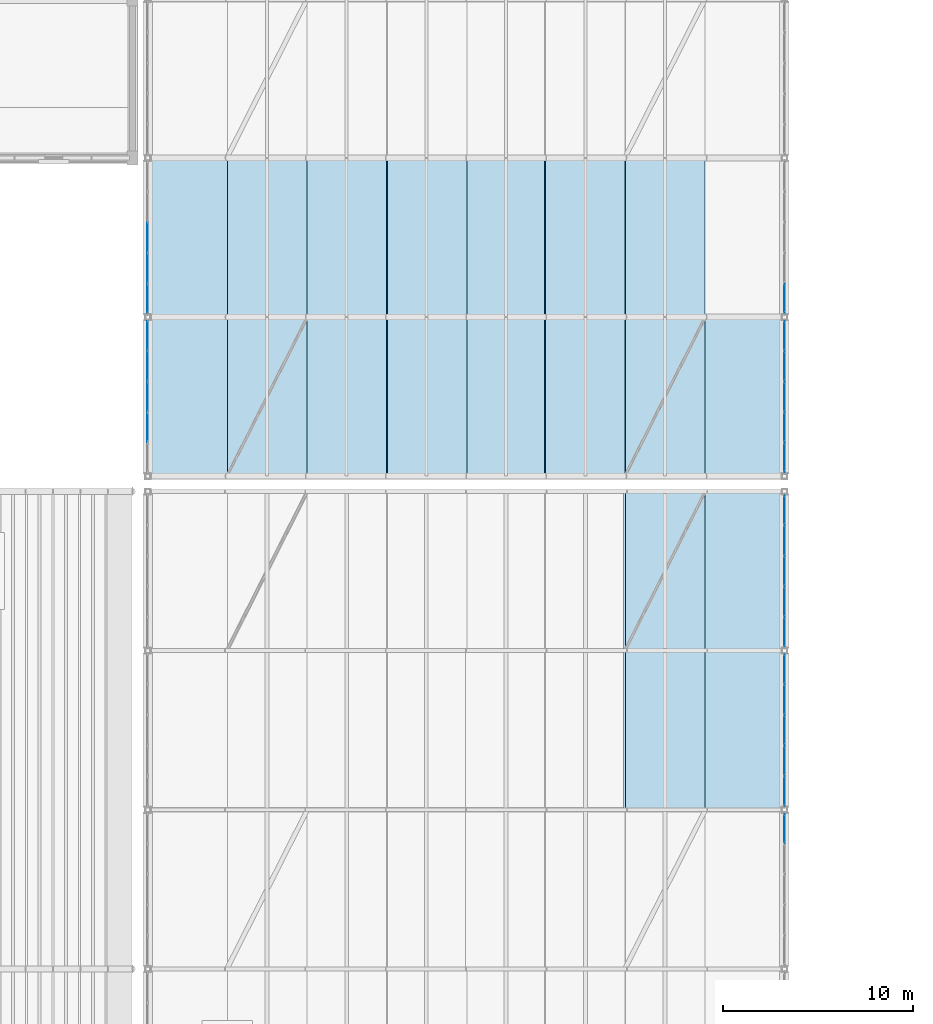
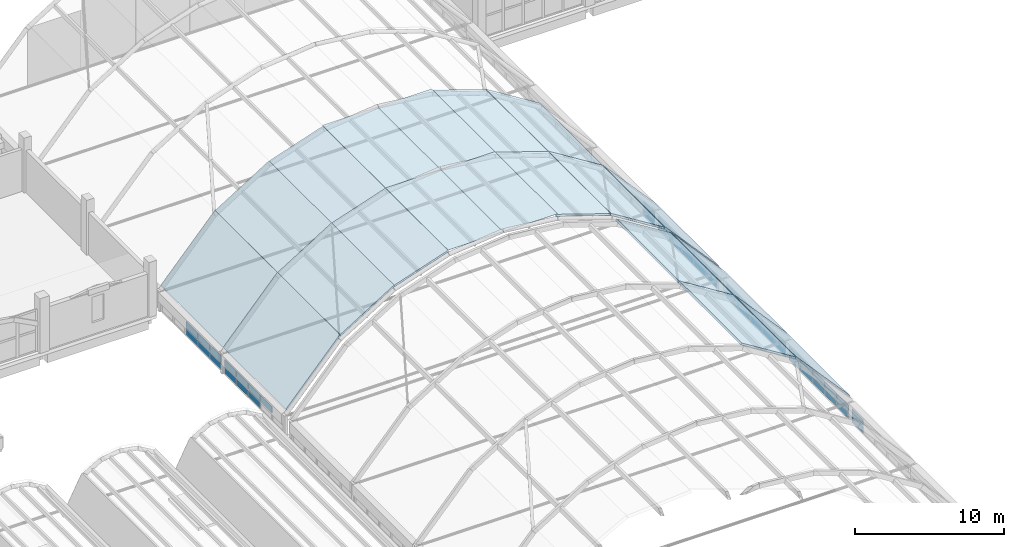
# One storey, part 90 of 114: 51 plates, 15 slabs, 7 elements without a shape of their own.
"""IFC4 building model written with IfcOpenShell, lengths in metres."""

from ifc_helpers import new_model, si_unit, direction, frame, origin, origin_2d, place, context, subcontext, project, spatial, polyline, rectangle, outline, extrude, material, layer, layer_set, type_object, element, aggregate, save


model = new_model("IFC4")

# Units and contexts
model_context = context("Model", 3, precision=1e-05, world=origin(), true_north=direction((0.0, 1.0)))
body_context = subcontext(model_context, "Body", "Model", "MODEL_VIEW")
ifc_project = project(units=[si_unit("LENGTHUNIT", "METRE"), si_unit("AREAUNIT", "SQUARE_METRE"), si_unit("VOLUMEUNIT", "CUBIC_METRE"), si_unit("PLANEANGLEUNIT", "RADIAN"), si_unit("MASSUNIT", "GRAM", prefix="KILO")], contexts=[model_context])

# Site, building, storey
site_placement = place(None, origin())
site = spatial("IfcSite", under=ifc_project, at=site_placement, CompositionType="ELEMENT")
building_placement = place(site_placement, origin())
building = spatial("IfcBuilding", under=site, at=building_placement, Name="Xazarin Passage Department Store", CompositionType="ELEMENT")
storey_placement = place(building_placement, frame((0.0, 0.0, 14.39990234375)))
storey = spatial("IfcBuildingStorey", under=building, at=storey_placement, Name="L03", CompositionType="ELEMENT", Elevation=14.39990234375)

# Curtain wall, plates
ifc_material_1 = material(Name="Bronze anodised aluminium", Category="aluminium")
ifc_layer_1 = layer(ifc_material_1, 0.159912109375)
ifc_layer_set_1 = layer_set([ifc_layer_1], Name="Bronze anodised aluminium")
curtain_wall_type = type_object("IfcCurtainWallType", Name="ARC-CW-ARC1", PredefinedType="NOTDEFINED", material=ifc_layer_set_1)
curtain_wall_1_placement = place(storey_placement, origin())
curtain_wall_1 = element("IfcCurtainWall", 1, at=curtain_wall_1_placement, inside=storey, type_object=curtain_wall_type, Name="L03 V2S Galleria Clerestory Curtain Wall 4E", PredefinedType="NOTDEFINED")
ifc_material_2 = material(Name="Low-E laminated safety glass", Category="glass")
ifc_layer_2 = layer(ifc_material_2, 0.028076171875)
ifc_layer_set_2 = layer_set([ifc_layer_2], Name="Low-E laminated safety glass")
plate_type_1 = type_object("IfcPlateType", Name="ARC-CWP-GLZ28", PredefinedType="CURTAIN_PANEL", material=ifc_layer_set_2)
plate_1_placement = place(storey_placement, frame((101.60009765625, 32.61572265625, 0.065185546875), z_axis=(0.0, 0.0, 1.0), x_axis=(0.0, 1.0, 0.0)))
plate_1 = element("IfcPlate", 2, at=plate_1_placement, type_object=plate_type_1, Name="CW3 panel 5.1", PredefinedType="CURTAIN_PANEL", context=body_context, shape_type="SweptSolid", body=[
    extrude(rectangle(XDim=1.5185546875, YDim=0.028076171875, at=origin_2d()), origin(), (0.0, 0.0, 1.0), 0.5283203125),
])
plate_2_placement = place(storey_placement, frame((101.60009765625, 32.61572265625, 0.658447265625), z_axis=(0.0, 0.0, 1.0), x_axis=(0.0, 1.0, 0.0)))
plate_2 = element("IfcPlate", 3, at=plate_2_placement, type_object=plate_type_1, Name="CW3 panel 5.2", PredefinedType="CURTAIN_PANEL", context=body_context, shape_type="SweptSolid", body=[
    extrude(rectangle(XDim=1.5185546875, YDim=0.028076171875, at=origin_2d()), origin(), (0.0, 0.0, 1.0), 0.5283203125),
])
aggregate(curtain_wall_1, [plate_1, plate_2])

curtain_wall_2_placement = place(storey_placement, origin())
curtain_wall_2 = element("IfcCurtainWall", 4, at=curtain_wall_2_placement, inside=storey, type_object=curtain_wall_type, Name="L03 V2S Galleria Clerestory Curtain Wall 5E", PredefinedType="NOTDEFINED")
plate_3_placement = place(storey_placement, frame((101.60009765625, 34.584228515625, 0.065185546875), z_axis=(0.0, 0.0, 1.0), x_axis=(0.0, 1.0, 0.0)))
plate_3 = element("IfcPlate", 5, at=plate_3_placement, type_object=plate_type_1, Name="CW3 panel 1.1", PredefinedType="CURTAIN_PANEL", context=body_context, shape_type="SweptSolid", body=[
    extrude(rectangle(XDim=1.5185546875, YDim=0.028076171875, at=origin_2d()), origin(), (0.0, 0.0, 1.0), 0.5283203125),
])
plate_4_placement = place(storey_placement, frame((101.60009765625, 34.584228515625, 0.658447265625), z_axis=(0.0, 0.0, 1.0), x_axis=(0.0, 1.0, 0.0)))
plate_4 = element("IfcPlate", 6, at=plate_4_placement, type_object=plate_type_1, Name="CW3 panel 1.2", PredefinedType="CURTAIN_PANEL", context=body_context, shape_type="SweptSolid", body=[
    extrude(rectangle(XDim=1.5185546875, YDim=0.028076171875, at=origin_2d()), origin(), (0.0, 0.0, 1.0), 0.5283203125),
])
plate_5_placement = place(storey_placement, frame((101.60009765625, 36.18408203125, 0.065185546875), z_axis=(0.0, 0.0, 1.0), x_axis=(0.0, 1.0, 0.0)))
plate_5 = element("IfcPlate", 7, at=plate_5_placement, type_object=plate_type_1, Name="CW3 panel 2.1", PredefinedType="CURTAIN_PANEL", context=body_context, shape_type="SweptSolid", body=[
    extrude(rectangle(XDim=1.551025390625, YDim=0.028076171875, at=origin_2d()), origin(), (0.0, 0.0, 1.0), 0.5283203125),
])
plate_6_placement = place(storey_placement, frame((101.60009765625, 36.18408203125, 0.658447265625), z_axis=(0.0, 0.0, 1.0), x_axis=(0.0, 1.0, 0.0)))
plate_6 = element("IfcPlate", 8, at=plate_6_placement, type_object=plate_type_1, Name="CW3 panel 2.2", PredefinedType="CURTAIN_PANEL", context=body_context, shape_type="SweptSolid", body=[
    extrude(rectangle(XDim=1.551025390625, YDim=0.028076171875, at=origin_2d()), origin(), (0.0, 0.0, 1.0), 0.5283203125),
])
plate_7_placement = place(storey_placement, frame((101.60009765625, 37.800048828125, 0.065185546875), z_axis=(0.0, 0.0, 1.0), x_axis=(0.0, 1.0, 0.0)))
plate_7 = element("IfcPlate", 9, at=plate_7_placement, type_object=plate_type_1, Name="CW3 panel 3.1", PredefinedType="CURTAIN_PANEL", context=body_context, shape_type="SweptSolid", body=[
    extrude(rectangle(XDim=1.551025390625, YDim=0.028076171875, at=origin_2d()), origin(), (0.0, 0.0, 1.0), 0.5283203125),
])
plate_8_placement = place(storey_placement, frame((101.60009765625, 37.800048828125, 0.658447265625), z_axis=(0.0, 0.0, 1.0), x_axis=(0.0, 1.0, 0.0)))
plate_8 = element("IfcPlate", 10, at=plate_8_placement, type_object=plate_type_1, Name="CW3 panel 3.2", PredefinedType="CURTAIN_PANEL", context=body_context, shape_type="SweptSolid", body=[
    extrude(rectangle(XDim=1.551025390625, YDim=0.028076171875, at=origin_2d()), origin(), (0.0, 0.0, 1.0), 0.5283203125),
])
plate_9_placement = place(storey_placement, frame((101.60009765625, 39.416015625, 0.065185546875), z_axis=(0.0, 0.0, 1.0), x_axis=(0.0, 1.0, 0.0)))
plate_9 = element("IfcPlate", 11, at=plate_9_placement, type_object=plate_type_1, Name="CW3 panel 4.1", PredefinedType="CURTAIN_PANEL", context=body_context, shape_type="SweptSolid", body=[
    extrude(rectangle(XDim=1.551025390625, YDim=0.028076171875, at=origin_2d()), origin(), (0.0, 0.0, 1.0), 0.5283203125),
])
plate_10_placement = place(storey_placement, frame((101.60009765625, 39.416015625, 0.658447265625), z_axis=(0.0, 0.0, 1.0), x_axis=(0.0, 1.0, 0.0)))
plate_10 = element("IfcPlate", 12, at=plate_10_placement, type_object=plate_type_1, Name="CW3 panel 4.2", PredefinedType="CURTAIN_PANEL", context=body_context, shape_type="SweptSolid", body=[
    extrude(rectangle(XDim=1.551025390625, YDim=0.028076171875, at=origin_2d()), origin(), (0.0, 0.0, 1.0), 0.5283203125),
])
plate_11_placement = place(storey_placement, frame((101.60009765625, 41.015869140625, 0.065185546875), z_axis=(0.0, 0.0, 1.0), x_axis=(0.0, 1.0, 0.0)))
plate_11 = element("IfcPlate", 13, at=plate_11_placement, type_object=plate_type_1, Name="CW3 panel 5.1", PredefinedType="CURTAIN_PANEL", context=body_context, shape_type="SweptSolid", body=[
    extrude(rectangle(XDim=1.5185546875, YDim=0.028076171875, at=origin_2d()), origin(), (0.0, 0.0, 1.0), 0.5283203125),
])
plate_12_placement = place(storey_placement, frame((101.60009765625, 41.015869140625, 0.658447265625), z_axis=(0.0, 0.0, 1.0), x_axis=(0.0, 1.0, 0.0)))
plate_12 = element("IfcPlate", 14, at=plate_12_placement, type_object=plate_type_1, Name="CW3 panel 5.2", PredefinedType="CURTAIN_PANEL", context=body_context, shape_type="SweptSolid", body=[
    extrude(rectangle(XDim=1.5185546875, YDim=0.028076171875, at=origin_2d()), origin(), (0.0, 0.0, 1.0), 0.5283203125),
])
aggregate(curtain_wall_2, [plate_3, plate_4, plate_5, plate_6, plate_7, plate_8, plate_9, plate_10, plate_11, plate_12])

curtain_wall_3_placement = place(storey_placement, origin())
curtain_wall_3 = element("IfcCurtainWall", 15, at=curtain_wall_3_placement, inside=storey, type_object=curtain_wall_type, Name="L03 V2S Galleria Clerestory Curtain Wall 6E", PredefinedType="NOTDEFINED")
plate_13_placement = place(storey_placement, frame((101.60009765625, 42.984130859375, 0.065185546875), z_axis=(0.0, 0.0, 1.0), x_axis=(0.0, 1.0, 0.0)))
plate_13 = element("IfcPlate", 16, at=plate_13_placement, type_object=plate_type_1, Name="CW3 panel 1.1", PredefinedType="CURTAIN_PANEL", context=body_context, shape_type="SweptSolid", body=[
    extrude(rectangle(XDim=1.5185546875, YDim=0.028076171875, at=origin_2d()), origin(), (0.0, 0.0, 1.0), 0.5283203125),
])
plate_14_placement = place(storey_placement, frame((101.60009765625, 42.984130859375, 0.658447265625), z_axis=(0.0, 0.0, 1.0), x_axis=(0.0, 1.0, 0.0)))
plate_14 = element("IfcPlate", 17, at=plate_14_placement, type_object=plate_type_1, Name="CW3 panel 1.2", PredefinedType="CURTAIN_PANEL", context=body_context, shape_type="SweptSolid", body=[
    extrude(rectangle(XDim=1.5185546875, YDim=0.028076171875, at=origin_2d()), origin(), (0.0, 0.0, 1.0), 0.5283203125),
])
plate_15_placement = place(storey_placement, frame((101.60009765625, 44.583984375, 0.065185546875), z_axis=(0.0, 0.0, 1.0), x_axis=(0.0, 1.0, 0.0)))
plate_15 = element("IfcPlate", 18, at=plate_15_placement, type_object=plate_type_1, Name="CW3 panel 2.1", PredefinedType="CURTAIN_PANEL", context=body_context, shape_type="SweptSolid", body=[
    extrude(rectangle(XDim=1.551025390625, YDim=0.028076171875, at=origin_2d()), origin(), (0.0, 0.0, 1.0), 0.5283203125),
])
plate_16_placement = place(storey_placement, frame((101.60009765625, 44.583984375, 0.658447265625), z_axis=(0.0, 0.0, 1.0), x_axis=(0.0, 1.0, 0.0)))
plate_16 = element("IfcPlate", 19, at=plate_16_placement, type_object=plate_type_1, Name="CW3 panel 2.2", PredefinedType="CURTAIN_PANEL", context=body_context, shape_type="SweptSolid", body=[
    extrude(rectangle(XDim=1.551025390625, YDim=0.028076171875, at=origin_2d()), origin(), (0.0, 0.0, 1.0), 0.5283203125),
])
plate_17_placement = place(storey_placement, frame((101.60009765625, 46.199951171875, 0.065185546875), z_axis=(0.0, 0.0, 1.0), x_axis=(0.0, 1.0, 0.0)))
plate_17 = element("IfcPlate", 20, at=plate_17_placement, type_object=plate_type_1, Name="CW3 panel 3.1", PredefinedType="CURTAIN_PANEL", context=body_context, shape_type="SweptSolid", body=[
    extrude(rectangle(XDim=1.551025390625, YDim=0.028076171875, at=origin_2d()), origin(), (0.0, 0.0, 1.0), 0.5283203125),
])
plate_18_placement = place(storey_placement, frame((101.60009765625, 46.199951171875, 0.658447265625), z_axis=(0.0, 0.0, 1.0), x_axis=(0.0, 1.0, 0.0)))
plate_18 = element("IfcPlate", 21, at=plate_18_placement, type_object=plate_type_1, Name="CW3 panel 3.2", PredefinedType="CURTAIN_PANEL", context=body_context, shape_type="SweptSolid", body=[
    extrude(rectangle(XDim=1.551025390625, YDim=0.028076171875, at=origin_2d()), origin(), (0.0, 0.0, 1.0), 0.5283203125),
])
plate_19_placement = place(storey_placement, frame((101.60009765625, 47.81591796875, 0.065185546875), z_axis=(0.0, 0.0, 1.0), x_axis=(0.0, 1.0, 0.0)))
plate_19 = element("IfcPlate", 22, at=plate_19_placement, type_object=plate_type_1, Name="CW3 panel 4.1", PredefinedType="CURTAIN_PANEL", context=body_context, shape_type="SweptSolid", body=[
    extrude(rectangle(XDim=1.551025390625, YDim=0.028076171875, at=origin_2d()), origin(), (0.0, 0.0, 1.0), 0.5283203125),
])
plate_20_placement = place(storey_placement, frame((101.60009765625, 47.81591796875, 0.658447265625), z_axis=(0.0, 0.0, 1.0), x_axis=(0.0, 1.0, 0.0)))
plate_20 = element("IfcPlate", 23, at=plate_20_placement, type_object=plate_type_1, Name="CW3 panel 4.2", PredefinedType="CURTAIN_PANEL", context=body_context, shape_type="SweptSolid", body=[
    extrude(rectangle(XDim=1.551025390625, YDim=0.028076171875, at=origin_2d()), origin(), (0.0, 0.0, 1.0), 0.5283203125),
])
plate_21_placement = place(storey_placement, frame((101.60009765625, 49.415771484375, 0.065185546875), z_axis=(0.0, 0.0, 1.0), x_axis=(0.0, 1.0, 0.0)))
plate_21 = element("IfcPlate", 24, at=plate_21_placement, type_object=plate_type_1, Name="CW3 panel 5.1", PredefinedType="CURTAIN_PANEL", context=body_context, shape_type="SweptSolid", body=[
    extrude(rectangle(XDim=1.5185546875, YDim=0.028076171875, at=origin_2d()), origin(), (0.0, 0.0, 1.0), 0.5283203125),
])
plate_22_placement = place(storey_placement, frame((101.60009765625, 49.415771484375, 0.658447265625), z_axis=(0.0, 0.0, 1.0), x_axis=(0.0, 1.0, 0.0)))
plate_22 = element("IfcPlate", 25, at=plate_22_placement, type_object=plate_type_1, Name="CW3 panel 5.2", PredefinedType="CURTAIN_PANEL", context=body_context, shape_type="SweptSolid", body=[
    extrude(rectangle(XDim=1.5185546875, YDim=0.028076171875, at=origin_2d()), origin(), (0.0, 0.0, 1.0), 0.5283203125),
])
aggregate(curtain_wall_3, [plate_13, plate_14, plate_15, plate_16, plate_17, plate_18, plate_19, plate_20, plate_21, plate_22])

curtain_wall_4_placement = place(storey_placement, origin())
curtain_wall_4 = element("IfcCurtainWall", 26, at=curtain_wall_4_placement, inside=storey, type_object=curtain_wall_type, Name="L03 V2N Galleria Clerestory Curtain Wall 1W", PredefinedType="NOTDEFINED")
plate_23_placement = place(storey_placement, frame((68.0, 53.783935546875, 0.658447265625), z_axis=(0.0, 0.0, 1.0), x_axis=(0.0, 1.0, 0.0)))
plate_23 = element("IfcPlate", 27, at=plate_23_placement, type_object=plate_type_1, Name="CW3 panel 2.2", PredefinedType="CURTAIN_PANEL", context=body_context, shape_type="SweptSolid", body=[
    extrude(rectangle(XDim=1.551025390625, YDim=0.028076171875, at=origin_2d()), origin(), (0.0, 0.0, 1.0), 0.5283203125),
])
plate_24_placement = place(storey_placement, frame((68.0, 55.39990234375, 0.065185546875), z_axis=(0.0, 0.0, 1.0), x_axis=(0.0, 1.0, 0.0)))
plate_24 = element("IfcPlate", 28, at=plate_24_placement, type_object=plate_type_1, Name="CW3 panel 3.1", PredefinedType="CURTAIN_PANEL", context=body_context, shape_type="SweptSolid", body=[
    extrude(rectangle(XDim=1.551025390625, YDim=0.028076171875, at=origin_2d()), origin(), (0.0, 0.0, 1.0), 0.5283203125),
])
plate_25_placement = place(storey_placement, frame((68.0, 55.39990234375, 0.658447265625), z_axis=(0.0, 0.0, 1.0), x_axis=(0.0, 1.0, 0.0)))
plate_25 = element("IfcPlate", 29, at=plate_25_placement, type_object=plate_type_1, Name="CW3 panel 3.2", PredefinedType="CURTAIN_PANEL", context=body_context, shape_type="SweptSolid", body=[
    extrude(rectangle(XDim=1.551025390625, YDim=0.028076171875, at=origin_2d()), origin(), (0.0, 0.0, 1.0), 0.5283203125),
])
plate_26_placement = place(storey_placement, frame((68.0, 57.01611328125, 0.065185546875), z_axis=(0.0, 0.0, 1.0), x_axis=(0.0, 1.0, 0.0)))
plate_26 = element("IfcPlate", 30, at=plate_26_placement, type_object=plate_type_1, Name="CW3 panel 4.1", PredefinedType="CURTAIN_PANEL", context=body_context, shape_type="SweptSolid", body=[
    extrude(rectangle(XDim=1.551025390625, YDim=0.028076171875, at=origin_2d()), origin(), (0.0, 0.0, 1.0), 0.5283203125),
])
plate_27_placement = place(storey_placement, frame((68.0, 57.01611328125, 0.658447265625), z_axis=(0.0, 0.0, 1.0), x_axis=(0.0, 1.0, 0.0)))
plate_27 = element("IfcPlate", 31, at=plate_27_placement, type_object=plate_type_1, Name="CW3 panel 4.2", PredefinedType="CURTAIN_PANEL", context=body_context, shape_type="SweptSolid", body=[
    extrude(rectangle(XDim=1.551025390625, YDim=0.028076171875, at=origin_2d()), origin(), (0.0, 0.0, 1.0), 0.5283203125),
])
plate_28_placement = place(storey_placement, frame((68.0, 58.61572265625, 0.065185546875), z_axis=(0.0, 0.0, 1.0), x_axis=(0.0, 1.0, 0.0)))
plate_28 = element("IfcPlate", 32, at=plate_28_placement, type_object=plate_type_1, Name="CW3 panel 5.1", PredefinedType="CURTAIN_PANEL", context=body_context, shape_type="SweptSolid", body=[
    extrude(rectangle(XDim=1.5185546875, YDim=0.028076171875, at=origin_2d()), origin(), (0.0, 0.0, 1.0), 0.5283203125),
])
plate_29_placement = place(storey_placement, frame((68.0, 58.61572265625, 0.658447265625), z_axis=(0.0, 0.0, 1.0), x_axis=(0.0, 1.0, 0.0)))
plate_29 = element("IfcPlate", 33, at=plate_29_placement, type_object=plate_type_1, Name="CW3 panel 5.2", PredefinedType="CURTAIN_PANEL", context=body_context, shape_type="SweptSolid", body=[
    extrude(rectangle(XDim=1.5185546875, YDim=0.028076171875, at=origin_2d()), origin(), (0.0, 0.0, 1.0), 0.5283203125),
])
aggregate(curtain_wall_4, [plate_23, plate_24, plate_25, plate_26, plate_27, plate_28, plate_29])

curtain_wall_5_placement = place(storey_placement, origin())
curtain_wall_5 = element("IfcCurtainWall", 34, at=curtain_wall_5_placement, inside=storey, type_object=curtain_wall_type, Name="L03 V2N Galleria Clerestory Curtain Wall 1E", PredefinedType="NOTDEFINED")
plate_30_placement = place(storey_placement, frame((101.60009765625, 52.184326171875, 0.065185546875), z_axis=(0.0, 0.0, 1.0), x_axis=(0.0, 1.0, 0.0)))
plate_30 = element("IfcPlate", 35, at=plate_30_placement, type_object=plate_type_1, Name="CW3 panel 1.1", PredefinedType="CURTAIN_PANEL", context=body_context, shape_type="SweptSolid", body=[
    extrude(rectangle(XDim=1.5185546875, YDim=0.028076171875, at=origin_2d()), origin(), (0.0, 0.0, 1.0), 0.5283203125),
])
plate_31_placement = place(storey_placement, frame((101.60009765625, 52.184326171875, 0.658447265625), z_axis=(0.0, 0.0, 1.0), x_axis=(0.0, 1.0, 0.0)))
plate_31 = element("IfcPlate", 36, at=plate_31_placement, type_object=plate_type_1, Name="CW3 panel 1.2", PredefinedType="CURTAIN_PANEL", context=body_context, shape_type="SweptSolid", body=[
    extrude(rectangle(XDim=1.5185546875, YDim=0.028076171875, at=origin_2d()), origin(), (0.0, 0.0, 1.0), 0.5283203125),
])
plate_32_placement = place(storey_placement, frame((101.60009765625, 53.783935546875, 0.065185546875), z_axis=(0.0, 0.0, 1.0), x_axis=(0.0, 1.0, 0.0)))
plate_32 = element("IfcPlate", 37, at=plate_32_placement, type_object=plate_type_1, Name="CW3 panel 2.1", PredefinedType="CURTAIN_PANEL", context=body_context, shape_type="SweptSolid", body=[
    extrude(rectangle(XDim=1.551025390625, YDim=0.028076171875, at=origin_2d()), origin(), (0.0, 0.0, 1.0), 0.5283203125),
])
plate_33_placement = place(storey_placement, frame((101.60009765625, 53.783935546875, 0.658447265625), z_axis=(0.0, 0.0, 1.0), x_axis=(0.0, 1.0, 0.0)))
plate_33 = element("IfcPlate", 38, at=plate_33_placement, type_object=plate_type_1, Name="CW3 panel 2.2", PredefinedType="CURTAIN_PANEL", context=body_context, shape_type="SweptSolid", body=[
    extrude(rectangle(XDim=1.551025390625, YDim=0.028076171875, at=origin_2d()), origin(), (0.0, 0.0, 1.0), 0.5283203125),
])
plate_34_placement = place(storey_placement, frame((101.60009765625, 55.39990234375, 0.065185546875), z_axis=(0.0, 0.0, 1.0), x_axis=(0.0, 1.0, 0.0)))
plate_34 = element("IfcPlate", 39, at=plate_34_placement, type_object=plate_type_1, Name="CW3 panel 3.1", PredefinedType="CURTAIN_PANEL", context=body_context, shape_type="SweptSolid", body=[
    extrude(rectangle(XDim=1.551025390625, YDim=0.028076171875, at=origin_2d()), origin(), (0.0, 0.0, 1.0), 0.5283203125),
])
plate_35_placement = place(storey_placement, frame((101.60009765625, 55.39990234375, 0.658447265625), z_axis=(0.0, 0.0, 1.0), x_axis=(0.0, 1.0, 0.0)))
plate_35 = element("IfcPlate", 40, at=plate_35_placement, type_object=plate_type_1, Name="CW3 panel 3.2", PredefinedType="CURTAIN_PANEL", context=body_context, shape_type="SweptSolid", body=[
    extrude(rectangle(XDim=1.551025390625, YDim=0.028076171875, at=origin_2d()), origin(), (0.0, 0.0, 1.0), 0.5283203125),
])
plate_36_placement = place(storey_placement, frame((101.60009765625, 57.01611328125, 0.065185546875), z_axis=(0.0, 0.0, 1.0), x_axis=(0.0, 1.0, 0.0)))
plate_36 = element("IfcPlate", 41, at=plate_36_placement, type_object=plate_type_1, Name="CW3 panel 4.1", PredefinedType="CURTAIN_PANEL", context=body_context, shape_type="SweptSolid", body=[
    extrude(rectangle(XDim=1.551025390625, YDim=0.028076171875, at=origin_2d()), origin(), (0.0, 0.0, 1.0), 0.5283203125),
])
plate_37_placement = place(storey_placement, frame((101.60009765625, 57.01611328125, 0.658447265625), z_axis=(0.0, 0.0, 1.0), x_axis=(0.0, 1.0, 0.0)))
plate_37 = element("IfcPlate", 42, at=plate_37_placement, type_object=plate_type_1, Name="CW3 panel 4.2", PredefinedType="CURTAIN_PANEL", context=body_context, shape_type="SweptSolid", body=[
    extrude(rectangle(XDim=1.551025390625, YDim=0.028076171875, at=origin_2d()), origin(), (0.0, 0.0, 1.0), 0.5283203125),
])
plate_38_placement = place(storey_placement, frame((101.60009765625, 58.61572265625, 0.065185546875), z_axis=(0.0, 0.0, 1.0), x_axis=(0.0, 1.0, 0.0)))
plate_38 = element("IfcPlate", 43, at=plate_38_placement, type_object=plate_type_1, Name="CW3 panel 5.1", PredefinedType="CURTAIN_PANEL", context=body_context, shape_type="SweptSolid", body=[
    extrude(rectangle(XDim=1.5185546875, YDim=0.028076171875, at=origin_2d()), origin(), (0.0, 0.0, 1.0), 0.5283203125),
])
plate_39_placement = place(storey_placement, frame((101.60009765625, 58.61572265625, 0.658447265625), z_axis=(0.0, 0.0, 1.0), x_axis=(0.0, 1.0, 0.0)))
plate_39 = element("IfcPlate", 44, at=plate_39_placement, type_object=plate_type_1, Name="CW3 panel 5.2", PredefinedType="CURTAIN_PANEL", context=body_context, shape_type="SweptSolid", body=[
    extrude(rectangle(XDim=1.5185546875, YDim=0.028076171875, at=origin_2d()), origin(), (0.0, 0.0, 1.0), 0.5283203125),
])
aggregate(curtain_wall_5, [plate_30, plate_31, plate_32, plate_33, plate_34, plate_35, plate_36, plate_37, plate_38, plate_39])

curtain_wall_6_placement = place(storey_placement, origin())
curtain_wall_6 = element("IfcCurtainWall", 45, at=curtain_wall_6_placement, inside=storey, type_object=curtain_wall_type, Name="L03 V2N Galleria Clerestory Curtain Wall 2W", PredefinedType="NOTDEFINED")
plate_40_placement = place(storey_placement, frame((68.0, 60.584228515625, 0.065185546875), z_axis=(0.0, 0.0, 1.0), x_axis=(0.0, 1.0, 0.0)))
plate_40 = element("IfcPlate", 46, at=plate_40_placement, type_object=plate_type_1, Name="CW3 panel 1.1", PredefinedType="CURTAIN_PANEL", context=body_context, shape_type="SweptSolid", body=[
    extrude(rectangle(XDim=1.5185546875, YDim=0.028076171875, at=origin_2d()), origin(), (0.0, 0.0, 1.0), 0.5283203125),
])
plate_41_placement = place(storey_placement, frame((68.0, 60.584228515625, 0.658447265625), z_axis=(0.0, 0.0, 1.0), x_axis=(0.0, 1.0, 0.0)))
plate_41 = element("IfcPlate", 47, at=plate_41_placement, type_object=plate_type_1, Name="CW3 panel 1.2", PredefinedType="CURTAIN_PANEL", context=body_context, shape_type="SweptSolid", body=[
    extrude(rectangle(XDim=1.5185546875, YDim=0.028076171875, at=origin_2d()), origin(), (0.0, 0.0, 1.0), 0.5283203125),
])
plate_42_placement = place(storey_placement, frame((68.0, 62.18408203125, 0.065185546875), z_axis=(0.0, 0.0, 1.0), x_axis=(0.0, 1.0, 0.0)))
plate_42 = element("IfcPlate", 48, at=plate_42_placement, type_object=plate_type_1, Name="CW3 panel 2.1", PredefinedType="CURTAIN_PANEL", context=body_context, shape_type="SweptSolid", body=[
    extrude(rectangle(XDim=1.551025390625, YDim=0.028076171875, at=origin_2d()), origin(), (0.0, 0.0, 1.0), 0.5283203125),
])
plate_43_placement = place(storey_placement, frame((68.0, 62.18408203125, 0.658447265625), z_axis=(0.0, 0.0, 1.0), x_axis=(0.0, 1.0, 0.0)))
plate_43 = element("IfcPlate", 49, at=plate_43_placement, type_object=plate_type_1, Name="CW3 panel 2.2", PredefinedType="CURTAIN_PANEL", context=body_context, shape_type="SweptSolid", body=[
    extrude(rectangle(XDim=1.551025390625, YDim=0.028076171875, at=origin_2d()), origin(), (0.0, 0.0, 1.0), 0.5283203125),
])
plate_44_placement = place(storey_placement, frame((68.0, 63.800048828125, 0.065185546875), z_axis=(0.0, 0.0, 1.0), x_axis=(0.0, 1.0, 0.0)))
plate_44 = element("IfcPlate", 50, at=plate_44_placement, type_object=plate_type_1, Name="CW3 panel 3.1", PredefinedType="CURTAIN_PANEL", context=body_context, shape_type="SweptSolid", body=[
    extrude(rectangle(XDim=1.551025390625, YDim=0.028076171875, at=origin_2d()), origin(), (0.0, 0.0, 1.0), 0.5283203125),
])
plate_45_placement = place(storey_placement, frame((68.0, 63.800048828125, 0.658447265625), z_axis=(0.0, 0.0, 1.0), x_axis=(0.0, 1.0, 0.0)))
plate_45 = element("IfcPlate", 51, at=plate_45_placement, type_object=plate_type_1, Name="CW3 panel 3.2", PredefinedType="CURTAIN_PANEL", context=body_context, shape_type="SweptSolid", body=[
    extrude(rectangle(XDim=1.551025390625, YDim=0.028076171875, at=origin_2d()), origin(), (0.0, 0.0, 1.0), 0.5283203125),
])
aggregate(curtain_wall_6, [plate_40, plate_41, plate_42, plate_43, plate_44, plate_45])

curtain_wall_7_placement = place(storey_placement, origin())
curtain_wall_7 = element("IfcCurtainWall", 52, at=curtain_wall_7_placement, inside=storey, type_object=curtain_wall_type, Name="L03 V2N Galleria Clerestory Curtain Wall 2E", PredefinedType="NOTDEFINED")
plate_46_placement = place(storey_placement, frame((101.60009765625, 60.584228515625, 0.065185546875), z_axis=(0.0, 0.0, 1.0), x_axis=(0.0, 1.0, 0.0)))
plate_46 = element("IfcPlate", 53, at=plate_46_placement, type_object=plate_type_1, Name="CW3 panel 1.1", PredefinedType="CURTAIN_PANEL", context=body_context, shape_type="SweptSolid", body=[
    extrude(rectangle(XDim=1.5185546875, YDim=0.028076171875, at=origin_2d()), origin(), (0.0, 0.0, 1.0), 0.5283203125),
])
plate_47_placement = place(storey_placement, frame((101.60009765625, 60.584228515625, 0.658447265625), z_axis=(0.0, 0.0, 1.0), x_axis=(0.0, 1.0, 0.0)))
plate_47 = element("IfcPlate", 54, at=plate_47_placement, type_object=plate_type_1, Name="CW3 panel 1.2", PredefinedType="CURTAIN_PANEL", context=body_context, shape_type="SweptSolid", body=[
    extrude(rectangle(XDim=1.5185546875, YDim=0.028076171875, at=origin_2d()), origin(), (0.0, 0.0, 1.0), 0.5283203125),
])
aggregate(curtain_wall_7, [plate_46, plate_47])

# Plates
ifc_layer_3 = layer(ifc_material_2, 0.028076171875)
ifc_layer_set_3 = layer_set([ifc_layer_3], Name="Low-E laminated safety glass")
plate_type_2 = type_object("IfcPlateType", Name="ARC-PLT-VGLZ28", PredefinedType="SHEET", material=ifc_layer_set_3)
for number, where, z_axis, x_axis, name in (
    (55, (82.699951171875, 55.39990234375, 10.712890625), (0.0, 0.0, 1.0), (1.0, 0.0, 0.0), "V2N Crown Skylight Glazing Panel 1.4"),
    (56, (86.89990234375, 55.39990234375, 10.712890625), (0.0, 0.0, 1.0), (1.0, 0.0, 0.0), "V2N Crown Skylight Glazing Panel 1.5"),
    (57, (82.699951171875, 63.800048828125, 10.712890625), (0.0, 0.0, 1.0), (1.0, 0.0, 0.0), "V2N Crown Skylight Glazing Panel 2.4"),
    (58, (86.89990234375, 63.800048828125, 10.712890625), (0.0, 0.0, 1.0), (1.0, 0.0, 0.0), "V2N Crown Skylight Glazing Panel 2.5"),
):
    element("IfcPlate", number, at=place(storey_placement, frame(where, z_axis=z_axis, x_axis=x_axis)), inside=storey, type_object=plate_type_2, Name=name, PredefinedType="SHEET", context=body_context, shape_type="SweptSolid", body=[
        extrude(rectangle(XDim=4.280029296875, YDim=8.47998046875, at=origin_2d()), origin(), (0.0, 0.0, 1.0), 0.028076171875),
    ])

# Slabs
ifc_material_3 = material(Name="Concrete C40/50", Category="concrete")
ifc_layer_4 = layer(ifc_material_3, 0.239990234375)
ifc_layer_set_4 = layer_set([ifc_layer_4], Name="Concrete C40/50")
slab_type = type_object("IfcSlabType", Name="STR-SLB-SHL240", PredefinedType="ROOF", material=ifc_layer_set_4)
slab_1_placement = place(storey_placement, frame((93.199951171875, 33.60009765625, 9.34130859375), z_axis=(0.529080815848, 0.0, 0.848571440894), x_axis=(0.848571440894, 0.0, -0.529080815848)))
element("IfcSlab", 59, at=slab_1_placement, inside=storey, type_object=slab_type, Name="V2S Vaulted Roof Deck Facet 5.7", PredefinedType="ROOF", context=body_context, shape_type="SweptSolid", body=[
    extrude(outline(polyline([(0.0, 0.0), (4.949437336057661, 0.0), (4.949437336057661, 8.39990234375), (0.0, 8.39990234375), (0.0, 0.0)])), origin(), (0.0, 0.0, -1.0), 0.159912109375),
])
slab_2_placement = place(storey_placement, frame((97.39990234375, 33.60009765625, 6.7626953125), z_axis=(0.744239314694, 0.0, 0.667913050078), x_axis=(0.667913050078, 0.0, -0.744239314694)))
element("IfcSlab", 60, at=slab_2_placement, inside=storey, type_object=slab_type, Name="V2S Vaulted Roof Deck Facet 5.8", PredefinedType="ROOF", context=body_context, shape_type="SweptSolid", body=[
    extrude(outline(polyline([(0.0, 0.0), (6.288536078177975, 0.0), (6.288536078177975, 8.39990234375), (0.0, 8.39990234375), (0.0, 0.0)])), origin(), (0.0, 0.0, -1.0), 0.159912109375),
])
slab_3_placement = place(storey_placement, frame((93.199951171875, 42.0, 9.34130859375), z_axis=(0.529080815848, 0.0, 0.848571440894), x_axis=(0.848571440894, 0.0, -0.529080815848)))
element("IfcSlab", 61, at=slab_3_placement, inside=storey, type_object=slab_type, Name="V2S Vaulted Roof Deck Facet 6.7", PredefinedType="ROOF", context=body_context, shape_type="SweptSolid", body=[
    extrude(outline(polyline([(0.0, 0.0), (4.949437336057661, 0.0), (4.949437336057661, 8.39990234375), (0.0, 8.39990234375), (0.0, 0.0)])), origin(), (0.0, 0.0, -1.0), 0.159912109375),
])
slab_4_placement = place(storey_placement, frame((97.39990234375, 42.0, 6.7626953125), z_axis=(0.744239314694, 0.0, 0.667913050078), x_axis=(0.667913050078, 0.0, -0.744239314694)))
element("IfcSlab", 62, at=slab_4_placement, inside=storey, type_object=slab_type, Name="V2S Vaulted Roof Deck Facet 6.8", PredefinedType="ROOF", context=body_context, shape_type="SweptSolid", body=[
    extrude(outline(polyline([(0.0, 0.0), (6.288536078177975, 0.0), (6.288536078177975, 8.39990234375), (0.0, 8.39990234375), (0.0, 0.0)])), origin(), (0.0, 0.0, -1.0), 0.159912109375),
])
slab_5_placement = place(storey_placement, frame((68.0, 51.199951171875, 2.044189453125), z_axis=(-0.744275931244, 0.0, 0.667872246893), x_axis=(0.667872246893, 0.0, 0.744275931244)))
element("IfcSlab", 63, at=slab_5_placement, inside=storey, type_object=slab_type, Name="V2N Vaulted Roof Deck Facet 1.1", PredefinedType="ROOF", context=body_context, shape_type="SweptSolid", body=[
    extrude(outline(polyline([(0.0, 0.0), (6.288554721970588, 0.0), (6.288554721970588, 8.400146484375), (0.0, 8.400146484375), (0.0, 0.0)])), origin(), (0.0, 0.0, -1.0), 0.159912109375),
])
slab_6_placement = place(storey_placement, frame((72.199951171875, 51.199951171875, 6.6845703125), z_axis=(-0.529045295432, 0.0, 0.848593586696), x_axis=(0.848593586696, 0.0, 0.529045295432)))
element("IfcSlab", 64, at=slab_6_placement, inside=storey, type_object=slab_type, Name="V2N Vaulted Roof Deck Facet 1.2", PredefinedType="ROOF", context=body_context, shape_type="SweptSolid", body=[
    extrude(outline(polyline([(0.0, 0.0), (4.949308170272536, 0.0), (4.949308170272536, 8.400146484375), (0.0, 8.400146484375), (0.0, 0.0)])), origin(), (0.0, 0.0, -1.0), 0.159912109375),
])
slab_7_placement = place(storey_placement, frame((76.39990234375, 51.199951171875, 9.283203125), z_axis=(-0.316938846257, 0.0, 0.948445975126), x_axis=(0.948445975126, 0.0, 0.316938846257)))
element("IfcSlab", 65, at=slab_7_placement, inside=storey, type_object=slab_type, Name="V2N Vaulted Roof Deck Facet 1.3", PredefinedType="ROOF", context=body_context, shape_type="SweptSolid", body=[
    extrude(outline(polyline([(0.0, 0.0), (4.4285024373057595, 0.0), (4.4285024373057595, 8.400146484375), (0.0, 8.400146484375), (0.0, 0.0)])), origin(), (0.0, 0.0, -1.0), 0.159912109375),
])
slab_8_placement = place(storey_placement, frame((89.0, 51.199951171875, 10.686767578125), z_axis=(0.316955418934, 0.0, 0.948440436932), x_axis=(0.948440436932, 0.0, -0.316955418934)))
element("IfcSlab", 66, at=slab_8_placement, inside=storey, type_object=slab_type, Name="V2N Vaulted Roof Deck Facet 1.6", PredefinedType="ROOF", context=body_context, shape_type="SweptSolid", body=[
    extrude(outline(polyline([(0.0, 0.0), (4.428270883788644, 0.0), (4.428270883788644, 8.400146484375), (0.0, 8.400146484375), (0.0, 0.0)])), origin(), (0.0, 0.0, -1.0), 0.159912109375),
])
slab_9_placement = place(storey_placement, frame((93.199951171875, 51.199951171875, 9.302978515625), z_axis=(0.529045295432, 0.0, 0.848593586696), x_axis=(0.848593586696, 0.0, -0.529045295432)))
element("IfcSlab", 67, at=slab_9_placement, inside=storey, type_object=slab_type, Name="V2N Vaulted Roof Deck Facet 1.7", PredefinedType="ROOF", context=body_context, shape_type="SweptSolid", body=[
    extrude(outline(polyline([(0.0, 0.0), (4.949308170272536, 0.0), (4.949308170272536, 8.400146484375), (0.0, 8.400146484375), (0.0, 0.0)])), origin(), (0.0, 0.0, -1.0), 0.159912109375),
])
slab_10_placement = place(storey_placement, frame((97.39990234375, 51.199951171875, 6.724609375), z_axis=(0.744256633244, 0.0, 0.667893751934), x_axis=(0.667893751934, 0.0, -0.744256633244)))
element("IfcSlab", 68, at=slab_10_placement, inside=storey, type_object=slab_type, Name="V2N Vaulted Roof Deck Facet 1.8", PredefinedType="ROOF", context=body_context, shape_type="SweptSolid", body=[
    extrude(outline(polyline([(0.0, 0.0), (6.288717779343525, 0.0), (6.288717779343525, 8.400146484374998), (0.0, 8.400146484374998), (0.0, 0.0)])), origin(), (0.0, 0.0, -1.0), 0.159912109375),
])
slab_11_placement = place(storey_placement, frame((68.0, 59.60009765625, 2.044189453125), z_axis=(-0.744275931244, 0.0, 0.667872246893), x_axis=(0.667872246893, 0.0, 0.744275931244)))
element("IfcSlab", 69, at=slab_11_placement, inside=storey, type_object=slab_type, Name="V2N Vaulted Roof Deck Facet 2.1", PredefinedType="ROOF", context=body_context, shape_type="SweptSolid", body=[
    extrude(outline(polyline([(0.0, 0.0), (6.288554721970588, 0.0), (6.288554721970588, 8.39990234375), (0.0, 8.39990234375), (0.0, 0.0)])), origin(), (0.0, 0.0, -1.0), 0.159912109375),
])
slab_12_placement = place(storey_placement, frame((72.199951171875, 59.60009765625, 6.6845703125), z_axis=(-0.529045295432, 0.0, 0.848593586696), x_axis=(0.848593586696, 0.0, 0.529045295432)))
element("IfcSlab", 70, at=slab_12_placement, inside=storey, type_object=slab_type, Name="V2N Vaulted Roof Deck Facet 2.2", PredefinedType="ROOF", context=body_context, shape_type="SweptSolid", body=[
    extrude(outline(polyline([(0.0, 0.0), (4.949308170272536, 0.0), (4.949308170272536, 8.39990234375), (0.0, 8.39990234375), (0.0, 0.0)])), origin(), (0.0, 0.0, -1.0), 0.159912109375),
])
slab_13_placement = place(storey_placement, frame((76.39990234375, 59.60009765625, 9.283203125), z_axis=(-0.316938846257, 0.0, 0.948445975126), x_axis=(0.948445975126, 0.0, 0.316938846257)))
element("IfcSlab", 71, at=slab_13_placement, inside=storey, type_object=slab_type, Name="V2N Vaulted Roof Deck Facet 2.3", PredefinedType="ROOF", context=body_context, shape_type="SweptSolid", body=[
    extrude(outline(polyline([(0.0, 0.0), (4.4285024373057595, 0.0), (4.4285024373057595, 8.39990234375), (0.0, 8.39990234375), (0.0, 0.0)])), origin(), (0.0, 0.0, -1.0), 0.159912109375),
])
slab_14_placement = place(storey_placement, frame((89.0, 59.60009765625, 10.686767578125), z_axis=(0.316955418934, 0.0, 0.948440436932), x_axis=(0.948440436932, 0.0, -0.316955418934)))
element("IfcSlab", 72, at=slab_14_placement, inside=storey, type_object=slab_type, Name="V2N Vaulted Roof Deck Facet 2.6", PredefinedType="ROOF", context=body_context, shape_type="SweptSolid", body=[
    extrude(outline(polyline([(0.0, 0.0), (4.428270883788645, 0.0), (4.428270883788645, 8.39990234375), (0.0, 8.39990234375), (0.0, 0.0)])), origin(), (0.0, 0.0, -1.0), 0.159912109375),
])
slab_15_placement = place(storey_placement, frame((93.199951171875, 59.60009765625, 9.302978515625), z_axis=(0.529045295432, 0.0, 0.848593586696), x_axis=(0.848593586696, 0.0, -0.529045295432)))
element("IfcSlab", 73, at=slab_15_placement, inside=storey, type_object=slab_type, Name="V2N Vaulted Roof Deck Facet 2.7", PredefinedType="ROOF", context=body_context, shape_type="SweptSolid", body=[
    extrude(outline(polyline([(0.0, 0.0), (4.949308170272536, 0.0), (4.949308170272536, 8.39990234375), (0.0, 8.39990234375), (0.0, 0.0)])), origin(), (0.0, 0.0, -1.0), 0.159912109375),
])

save(model, "model.ifc")
